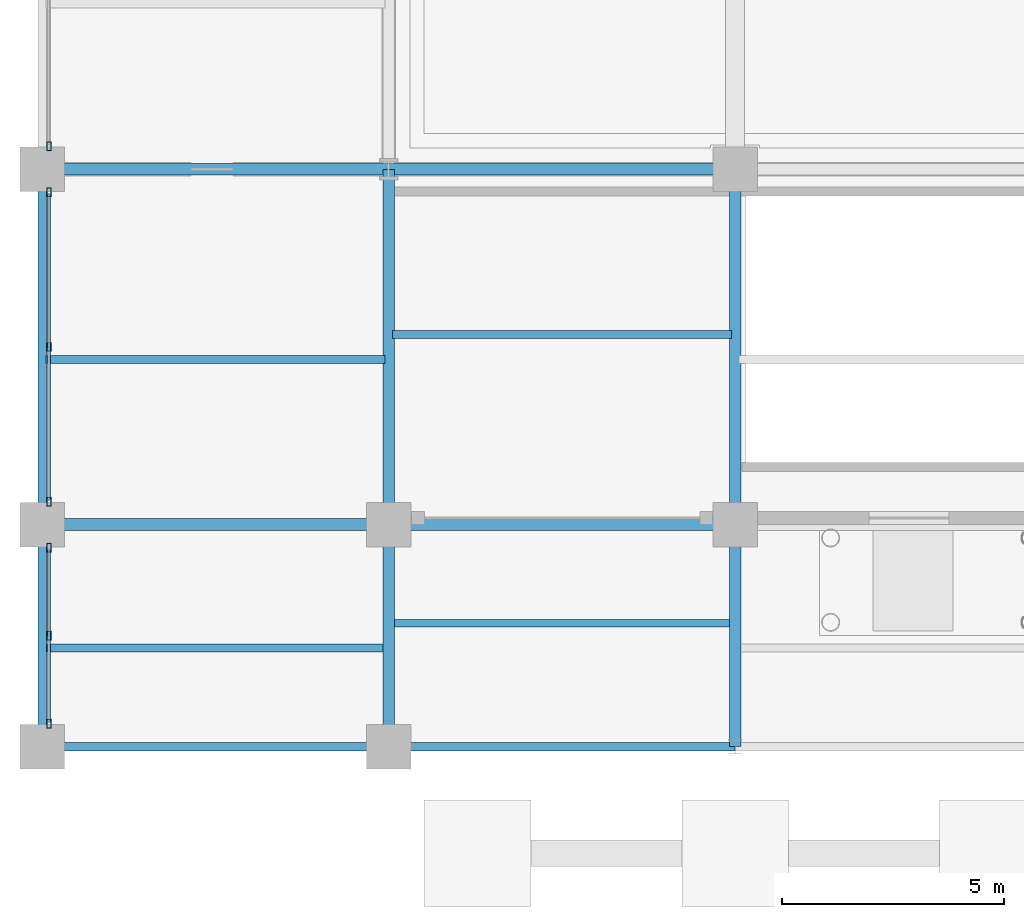
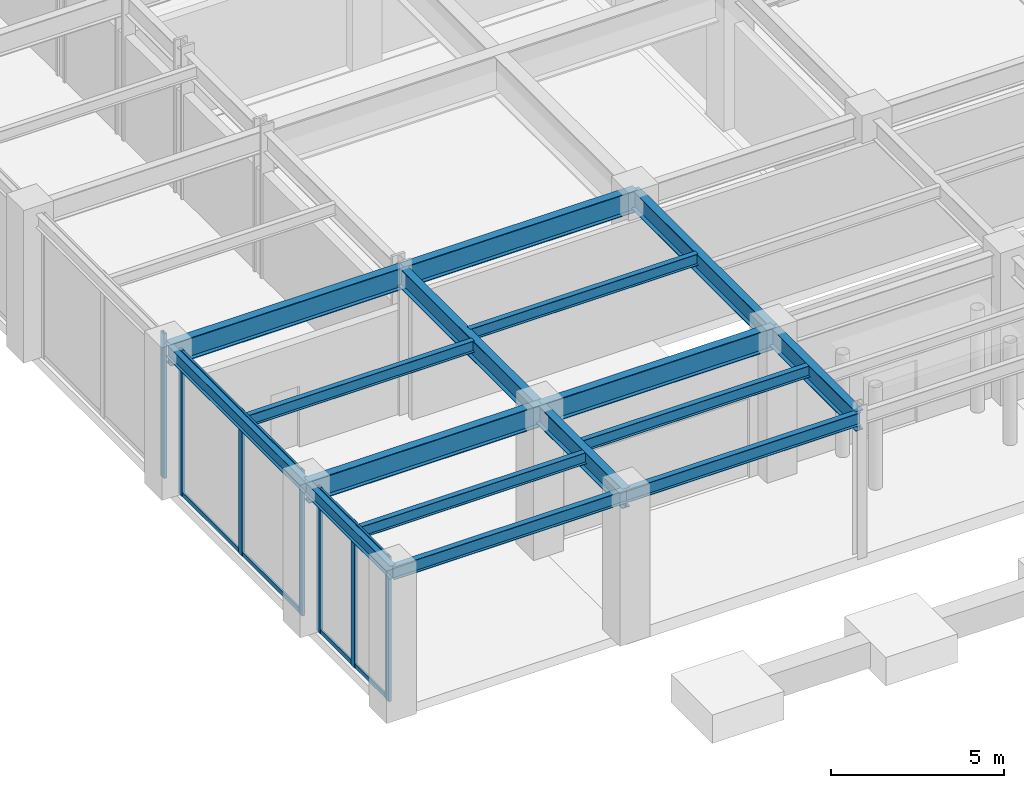
# One storey, part 6 of 27: 16 beams, 11 members, 3 elements without a shape of their own.
"""IFC4 building model written with IfcOpenShell, lengths in metres."""

from ifc_helpers import new_model, si_unit, direction, frame, origin, origin_2d, place, context, subcontext, project, spatial, hollow_rectangle, i_section, extrude, material, layer, layer_set, material_profile, profile_set, type_object, element, aggregate, save


model = new_model("IFC4")

# Units and contexts
model_context = context("Model", 3, precision=1e-05, world=origin(), true_north=direction((0.0, 1.0)))
body_context = subcontext(model_context, "Body", "Model", "MODEL_VIEW")
ifc_project = project(units=[si_unit("LENGTHUNIT", "METRE"), si_unit("AREAUNIT", "SQUARE_METRE"), si_unit("VOLUMEUNIT", "CUBIC_METRE"), si_unit("PLANEANGLEUNIT", "RADIAN"), si_unit("MASSUNIT", "GRAM", prefix="KILO")], contexts=[model_context])

# Site, building, storey
site_placement = place(None, origin())
site = spatial("IfcSite", under=ifc_project, at=site_placement, CompositionType="ELEMENT")
building_placement = place(site_placement, origin())
building = spatial("IfcBuilding", under=site, at=building_placement, Name="Veymaron Broadcast Tower", CompositionType="ELEMENT")
storey_placement = place(building_placement, origin())
storey = spatial("IfcBuildingStorey", under=building, at=storey_placement, Name="L00", CompositionType="ELEMENT", Elevation=0.0)

# Beams
ifc_material_1 = material(Name="Structural steel ASTM A992 Gr 50", Category="steel")
ifc_material_profile_1 = material_profile(ifc_material_1, i_section(OverallWidth=0.177978515625, OverallDepth=0.406982421875, WebThickness=0.0078125, FlangeThickness=0.0126953125, at=origin_2d()), Name="W410X60")
ifc_profile_set_1 = profile_set([ifc_material_profile_1], Name="Structural steel ASTM A992 Gr 50")
beam_type_1 = type_object("IfcBeamType", Name="BM-JS1", PredefinedType="JOIST", material=ifc_profile_set_1)
for number, where, z_axis, x_axis, name in (
    (1, (0.0849609375, -2.780029296875, 4.91650390625), (1.0, 0.0, 0.0), (0.0, 1.0, 0.0), "L00 podium secondary floor joist"),
    (2, (0.0849609375, 3.719970703125, 4.91650390625), (1.0, 0.0, 0.0), (0.0, 1.0, 0.0), "L00 podium secondary floor joist"),
):
    element("IfcBeam", number, at=place(storey_placement, frame(where, z_axis=z_axis, x_axis=x_axis)), inside=storey, type_object=beam_type_1, Name=name, PredefinedType="JOIST", context=body_context, shape_type="SweptSolid", body=[
        extrude(i_section(OverallWidth=0.177978515625, OverallDepth=0.406982421875, WebThickness=0.0078125, FlangeThickness=0.0126953125, at=origin_2d()), origin(), (0.0, 0.0, 1.0), 7.630126953125),
    ])
for number, where, z_axis, x_axis, name in (
    (3, (7.885009765625, -2.219970703125, 4.91650390625), (1.0, 0.0, 0.0), (0.0, 1.0, 0.0), "L00 podium secondary floor joist"),
    (4, (7.885009765625, 4.280029296875, 4.91650390625), (1.0, 0.0, 0.0), (0.0, 1.0, 0.0), "L00 podium secondary floor joist"),
):
    element("IfcBeam", number, at=place(storey_placement, frame(where, z_axis=z_axis, x_axis=x_axis)), inside=storey, type_object=beam_type_1, Name=name, PredefinedType="JOIST", context=body_context, shape_type="SweptSolid", body=[
        extrude(i_section(OverallWidth=0.177978515625, OverallDepth=0.406982421875, WebThickness=0.0078125, FlangeThickness=0.0126953125, at=origin_2d()), origin(), (0.0, 0.0, 1.0), 7.6298828125),
    ])
ifc_material_profile_2 = material_profile(ifc_material_1, i_section(OverallWidth=0.26806640625, OverallDepth=0.77001953125, WebThickness=0.015625, FlangeThickness=0.025390625, at=origin_2d()), Name="W760X196")
ifc_profile_set_2 = profile_set([ifc_material_profile_2], Name="Structural steel ASTM A992 Gr 50")
beam_type_2 = type_object("IfcBeamType", Name="BM-PG1", PredefinedType="BEAM", material=ifc_profile_set_2)
for number, where, z_axis, x_axis, name in (
    (5, (0.0, 0.0, 4.735107421875), (1.0, 0.0, 0.0), (0.0, 1.0, 0.0), "L00 podium primary X-girder"),
    (6, (7.800048828125, 0.0, 4.735107421875), (1.0, 0.0, 0.0), (0.0, 1.0, 0.0), "L00 podium primary X-girder"),
    (7, (0.0, 8.0, 4.735107421875), (1.0, 0.0, 0.0), (0.0, 1.0, 0.0), "L00 podium primary X-girder"),
    (8, (7.800048828125, 8.0, 4.735107421875), (1.0, 0.0, 0.0), (0.0, 1.0, 0.0), "L00 podium primary X-girder"),
):
    element("IfcBeam", number, at=place(storey_placement, frame(where, z_axis=z_axis, x_axis=x_axis)), inside=storey, type_object=beam_type_2, Name=name, PredefinedType="BEAM", context=body_context, shape_type="SweptSolid", body=[
        extrude(i_section(OverallWidth=0.26806640625, OverallDepth=0.77001953125, WebThickness=0.015625, FlangeThickness=0.025390625, at=origin_2d()), origin(), (0.0, 0.0, 1.0), 7.800048828125),
    ])
ifc_material_profile_3 = material_profile(ifc_material_1, i_section(OverallWidth=0.256103515625, OverallDepth=0.693115234375, WebThickness=0.014404296875, FlangeThickness=0.023681640625, at=origin_2d()), Name="W690X170")
ifc_profile_set_3 = profile_set([ifc_material_profile_3], Name="Structural steel ASTM A992 Gr 50")
beam_type_3 = type_object("IfcBeamType", Name="BM-PG2", PredefinedType="BEAM", material=ifc_profile_set_3)
beam_1_placement = place(storey_placement, frame((7.800048828125, -5.0, 4.7734375), z_axis=(0.0, 1.0, 0.0), x_axis=(-1.0, 0.0, 0.0)))
element("IfcBeam", 9, at=beam_1_placement, inside=storey, type_object=beam_type_3, Name="L00 podium primary Y-girder", PredefinedType="BEAM", context=body_context, shape_type="SweptSolid", body=[
    extrude(i_section(OverallWidth=0.256103515625, OverallDepth=0.693115234375, WebThickness=0.014404296875, FlangeThickness=0.023681640625, at=origin_2d()), origin(), (0.0, 0.0, 1.0), 5.0),
])
beam_2_placement = place(storey_placement, frame((7.800048828125, 0.0, 4.7734375), z_axis=(0.0, 1.0, 0.0), x_axis=(-1.0, 0.0, 0.0)))
element("IfcBeam", 10, at=beam_2_placement, inside=storey, type_object=beam_type_3, Name="L00 podium primary Y-girder", PredefinedType="BEAM", context=body_context, shape_type="SweptSolid", body=[
    extrude(i_section(OverallWidth=0.256103515625, OverallDepth=0.693115234375, WebThickness=0.014404296875, FlangeThickness=0.023681640625, at=origin_2d()), origin(), (0.0, 0.0, 1.0), 8.0),
])
beam_3_placement = place(storey_placement, frame((15.60009765625, -5.0, 4.7734375), z_axis=(0.0, 1.0, 0.0), x_axis=(-1.0, 0.0, 0.0)))
element("IfcBeam", 11, at=beam_3_placement, inside=storey, type_object=beam_type_3, Name="L00 podium primary Y-girder", PredefinedType="BEAM", context=body_context, shape_type="SweptSolid", body=[
    extrude(i_section(OverallWidth=0.256103515625, OverallDepth=0.693115234375, WebThickness=0.014404296875, FlangeThickness=0.023681640625, at=origin_2d()), origin(), (0.0, 0.0, 1.0), 5.0),
])
beam_4_placement = place(storey_placement, frame((15.60009765625, 0.0, 4.7734375), z_axis=(0.0, 1.0, 0.0), x_axis=(-1.0, 0.0, 0.0)))
element("IfcBeam", 12, at=beam_4_placement, inside=storey, type_object=beam_type_3, Name="L00 podium primary Y-girder", PredefinedType="BEAM", context=body_context, shape_type="SweptSolid", body=[
    extrude(i_section(OverallWidth=0.256103515625, OverallDepth=0.693115234375, WebThickness=0.014404296875, FlangeThickness=0.023681640625, at=origin_2d()), origin(), (0.0, 0.0, 1.0), 8.0),
])
ifc_material_profile_4 = material_profile(ifc_material_1, i_section(OverallWidth=0.19091796875, OverallDepth=0.4599609375, WebThickness=0.010009765625, FlangeThickness=0.01611328125, at=origin_2d()), Name="W460X82")
ifc_profile_set_4 = profile_set([ifc_material_profile_4], Name="Structural steel ASTM A992 Gr 50")
beam_type_4 = type_object("IfcBeamType", Name="BM-SP1", PredefinedType="SPANDREL", material=ifc_profile_set_4)
for number, where, z_axis, x_axis, name in (
    (13, (0.0, -5.0, 4.889892578125), (1.0, 0.0, 0.0), (0.0, 1.0, 0.0), "L00 podium primary X-girder"),
    (14, (7.800048828125, -5.0, 4.889892578125), (1.0, 0.0, 0.0), (0.0, 1.0, 0.0), "L00 podium primary X-girder"),
):
    element("IfcBeam", number, at=place(storey_placement, frame(where, z_axis=z_axis, x_axis=x_axis)), inside=storey, type_object=beam_type_4, Name=name, PredefinedType="SPANDREL", context=body_context, shape_type="SweptSolid", body=[
        extrude(i_section(OverallWidth=0.19091796875, OverallDepth=0.4599609375, WebThickness=0.010009765625, FlangeThickness=0.01611328125, at=origin_2d()), origin(), (0.0, 0.0, 1.0), 7.800048828125),
    ])
beam_5_placement = place(storey_placement, frame((0.0, -5.0, 4.889892578125), z_axis=(0.0, 1.0, 0.0), x_axis=(-1.0, 0.0, 0.0)))
element("IfcBeam", 15, at=beam_5_placement, inside=storey, type_object=beam_type_4, Name="L00 podium primary Y-girder", PredefinedType="SPANDREL", context=body_context, shape_type="SweptSolid", body=[
    extrude(i_section(OverallWidth=0.19091796875, OverallDepth=0.4599609375, WebThickness=0.010009765625, FlangeThickness=0.01611328125, at=origin_2d()), origin(), (0.0, 0.0, 1.0), 5.0),
])
beam_6_placement = place(storey_placement, frame((0.0, 0.0, 4.889892578125), z_axis=(0.0, 1.0, 0.0), x_axis=(-1.0, 0.0, 0.0)))
element("IfcBeam", 16, at=beam_6_placement, inside=storey, type_object=beam_type_4, Name="L00 podium primary Y-girder", PredefinedType="SPANDREL", context=body_context, shape_type="SweptSolid", body=[
    extrude(i_section(OverallWidth=0.19091796875, OverallDepth=0.4599609375, WebThickness=0.010009765625, FlangeThickness=0.01611328125, at=origin_2d()), origin(), (0.0, 0.0, 1.0), 8.0),
])

# Curtain wall, members
ifc_material_2 = material(Name="Anodised aluminium AA 6063-T6 and laminated low-E dark glass", Category="aluminium")
ifc_layer = layer(ifc_material_2, 0.179931640625)
ifc_layer_set = layer_set([ifc_layer], Name="Anodised aluminium AA 6063-T6 and laminated low-E dark glass")
curtain_wall_type = type_object("IfcCurtainWallType", Name="CW-SYS-01", PredefinedType="NOTDEFINED", material=ifc_layer_set)
curtain_wall_1_placement = place(storey_placement, origin())
curtain_wall_1 = element("IfcCurtainWall", 17, at=curtain_wall_1_placement, inside=storey, type_object=curtain_wall_type, Name="L00 dark-glass curtain wall CW-L00-04", PredefinedType="NOTDEFINED")
ifc_material_3 = material(Name="Anodised aluminium AA 6063-T6", Category="aluminium")
ifc_material_profile_5 = material_profile(ifc_material_3, hollow_rectangle(XDim=0.10009765625, YDim=0.199951171875, WallThickness=0.010009765625, at=origin_2d()), Name="RHS200X100X10")
ifc_profile_set_5 = profile_set([ifc_material_profile_5], Name="Anodised aluminium AA 6063-T6")
member_type_1 = type_object("IfcMemberType", Name="CW-MUL-01", PredefinedType="MULLION", material=ifc_profile_set_5)
member_1_placement = place(storey_placement, frame((0.14990234375, -4.48193359375, 0.0), z_axis=(0.0, 0.0, 1.0), x_axis=(1.0, 0.0, 0.0)))
member_1 = element("IfcMember", 18, at=member_1_placement, type_object=member_type_1, Name="CW-L00-04 mullion 0", PredefinedType="MULLION", context=body_context, shape_type="SweptSolid", body=[
    extrude(hollow_rectangle(XDim=0.10009765625, YDim=0.199951171875, WallThickness=0.010009765625, at=origin_2d()), origin(), (0.0, 0.0, 1.0), 5.1201171875),
])
member_2_placement = place(storey_placement, frame((0.14990234375, -2.5, 0.0), z_axis=(0.0, 0.0, 1.0), x_axis=(1.0, 0.0, 0.0)))
member_2 = element("IfcMember", 19, at=member_2_placement, type_object=member_type_1, Name="CW-L00-04 mullion 1", PredefinedType="MULLION", context=body_context, shape_type="SweptSolid", body=[
    extrude(hollow_rectangle(XDim=0.10009765625, YDim=0.199951171875, WallThickness=0.010009765625, at=origin_2d()), origin(), (0.0, 0.0, 1.0), 5.1201171875),
])
member_3_placement = place(storey_placement, frame((0.14990234375, -0.51806640625, 0.0), z_axis=(0.0, 0.0, 1.0), x_axis=(1.0, 0.0, 0.0)))
member_3 = element("IfcMember", 20, at=member_3_placement, type_object=member_type_1, Name="CW-L00-04 mullion 2", PredefinedType="MULLION", context=body_context, shape_type="SweptSolid", body=[
    extrude(hollow_rectangle(XDim=0.10009765625, YDim=0.199951171875, WallThickness=0.010009765625, at=origin_2d()), origin(), (0.0, 0.0, 1.0), 5.1201171875),
])

curtain_wall_2_placement = place(storey_placement, origin())
curtain_wall_2 = element("IfcCurtainWall", 21, at=curtain_wall_2_placement, inside=storey, type_object=curtain_wall_type, Name="L00 dark-glass curtain wall CW-L00-05", PredefinedType="NOTDEFINED")
member_4_placement = place(storey_placement, frame((0.14990234375, 0.51806640625, 0.0), z_axis=(0.0, 0.0, 1.0), x_axis=(1.0, 0.0, 0.0)))
member_4 = element("IfcMember", 22, at=member_4_placement, type_object=member_type_1, Name="CW-L00-05 mullion 0", PredefinedType="MULLION", context=body_context, shape_type="SweptSolid", body=[
    extrude(hollow_rectangle(XDim=0.10009765625, YDim=0.199951171875, WallThickness=0.010009765625, at=origin_2d()), origin(), (0.0, 0.0, 1.0), 5.1201171875),
])
member_5_placement = place(storey_placement, frame((0.14990234375, 4.0, 0.0), z_axis=(0.0, 0.0, 1.0), x_axis=(1.0, 0.0, 0.0)))
member_5 = element("IfcMember", 23, at=member_5_placement, type_object=member_type_1, Name="CW-L00-05 mullion 1", PredefinedType="MULLION", context=body_context, shape_type="SweptSolid", body=[
    extrude(hollow_rectangle(XDim=0.10009765625, YDim=0.199951171875, WallThickness=0.010009765625, at=origin_2d()), origin(), (0.0, 0.0, 1.0), 5.1201171875),
])
member_6_placement = place(storey_placement, frame((0.14990234375, 7.48193359375, 0.0), z_axis=(0.0, 0.0, 1.0), x_axis=(1.0, 0.0, 0.0)))
member_6 = element("IfcMember", 24, at=member_6_placement, type_object=member_type_1, Name="CW-L00-05 mullion 2", PredefinedType="MULLION", context=body_context, shape_type="SweptSolid", body=[
    extrude(hollow_rectangle(XDim=0.10009765625, YDim=0.199951171875, WallThickness=0.010009765625, at=origin_2d()), origin(), (0.0, 0.0, 1.0), 5.1201171875),
])

# Curtain wall, member
curtain_wall_3_placement = place(storey_placement, origin())
curtain_wall_3 = element("IfcCurtainWall", 25, at=curtain_wall_3_placement, inside=storey, type_object=curtain_wall_type, Name="L00 dark-glass curtain wall CW-L00-06", PredefinedType="NOTDEFINED")
member_7_placement = place(storey_placement, frame((0.14990234375, 8.51806640625, 0.0), z_axis=(0.0, 0.0, 1.0), x_axis=(1.0, 0.0, 0.0)))
member_7 = element("IfcMember", 26, at=member_7_placement, type_object=member_type_1, Name="CW-L00-06 mullion 0", PredefinedType="MULLION", context=body_context, shape_type="SweptSolid", body=[
    extrude(hollow_rectangle(XDim=0.10009765625, YDim=0.199951171875, WallThickness=0.010009765625, at=origin_2d()), origin(), (0.0, 0.0, 1.0), 5.1201171875),
])
aggregate(curtain_wall_3, [member_7])

# Member
ifc_material_profile_6 = material_profile(ifc_material_3, hollow_rectangle(XDim=0.06494140625, YDim=0.14990234375, WallThickness=0.00390625, at=origin_2d()), Name="AL150X65X4")
ifc_profile_set_6 = profile_set([ifc_material_profile_6], Name="Anodised aluminium AA 6063-T6")
member_type_2 = type_object("IfcMemberType", Name="CW-TRN-01", PredefinedType="USERDEFINED", material=ifc_profile_set_6)
member_8_placement = place(storey_placement, frame((0.14990234375, -4.431884765625, 0.070068359375), z_axis=(0.0, 1.0, 0.0), x_axis=(-1.0, 0.0, 0.0)))
member_8 = element("IfcMember", 27, at=member_8_placement, type_object=member_type_2, Name="CW-L00-04 transom B", ObjectType="TRANSOM", PredefinedType="USERDEFINED", context=body_context, shape_type="SweptSolid", body=[
    extrude(hollow_rectangle(XDim=0.06494140625, YDim=0.14990234375, WallThickness=0.00390625, at=origin_2d()), origin(), (0.0, 0.0, 1.0), 3.86376953125),
])

member_9_placement = place(storey_placement, frame((0.14990234375, -4.431884765625, 5.050048828125), z_axis=(0.0, 1.0, 0.0), x_axis=(-1.0, 0.0, 0.0)))
member_9 = element("IfcMember", 28, at=member_9_placement, type_object=member_type_2, Name="CW-L00-04 transom T", ObjectType="TRANSOM", PredefinedType="USERDEFINED", context=body_context, shape_type="SweptSolid", body=[
    extrude(hollow_rectangle(XDim=0.06494140625, YDim=0.14990234375, WallThickness=0.00390625, at=origin_2d()), origin(), (0.0, 0.0, 1.0), 3.86376953125),
])

aggregate(curtain_wall_1, [member_1, member_2, member_3, member_8, member_9])

member_10_placement = place(storey_placement, frame((0.14990234375, 0.568115234375, 0.070068359375), z_axis=(0.0, 1.0, 0.0), x_axis=(-1.0, 0.0, 0.0)))
member_10 = element("IfcMember", 29, at=member_10_placement, type_object=member_type_2, Name="CW-L00-05 transom B", ObjectType="TRANSOM", PredefinedType="USERDEFINED", context=body_context, shape_type="SweptSolid", body=[
    extrude(hollow_rectangle(XDim=0.06494140625, YDim=0.14990234375, WallThickness=0.00390625, at=origin_2d()), origin(), (0.0, 0.0, 1.0), 6.86376953125),
])

member_11_placement = place(storey_placement, frame((0.14990234375, 0.568115234375, 5.050048828125), z_axis=(0.0, 1.0, 0.0), x_axis=(-1.0, 0.0, 0.0)))
member_11 = element("IfcMember", 30, at=member_11_placement, type_object=member_type_2, Name="CW-L00-05 transom T", ObjectType="TRANSOM", PredefinedType="USERDEFINED", context=body_context, shape_type="SweptSolid", body=[
    extrude(hollow_rectangle(XDim=0.06494140625, YDim=0.14990234375, WallThickness=0.00390625, at=origin_2d()), origin(), (0.0, 0.0, 1.0), 6.86376953125),
])

aggregate(curtain_wall_2, [member_4, member_5, member_6, member_10, member_11])

save(model, "model.ifc")
